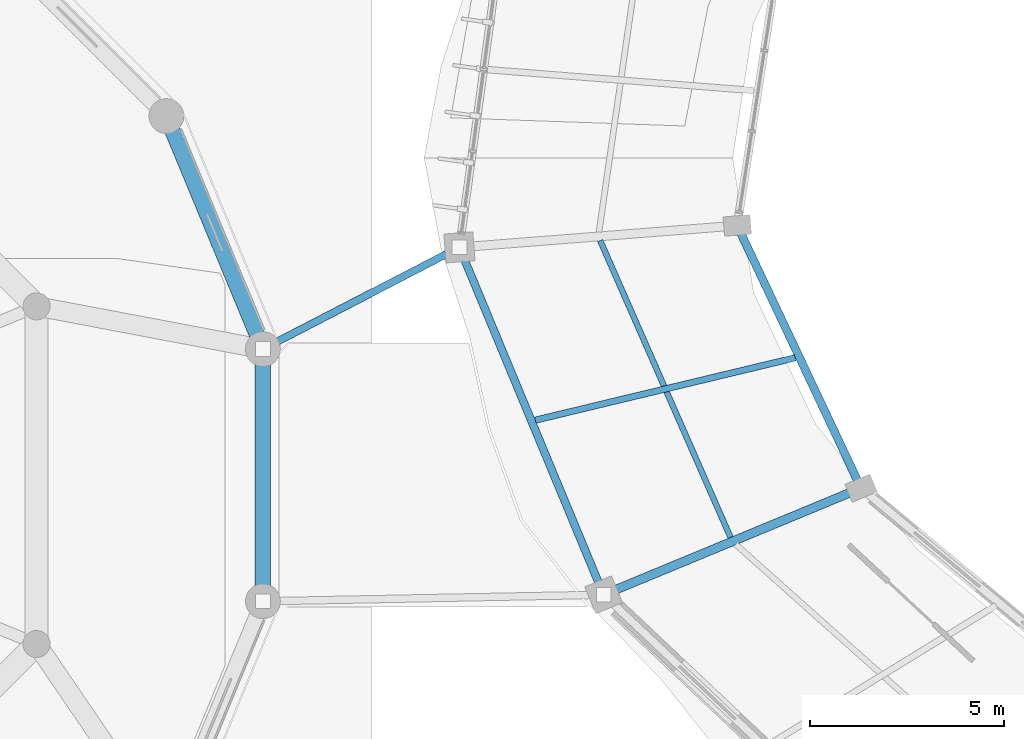
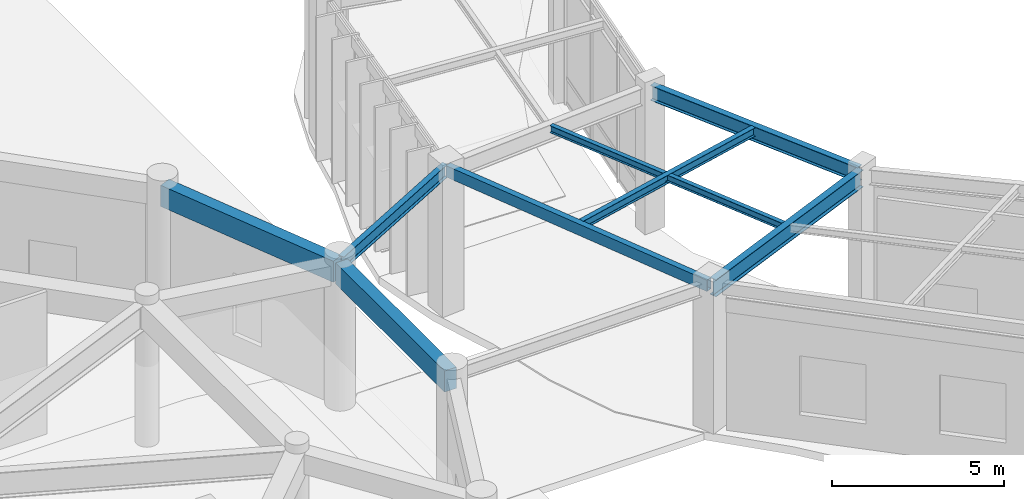
# One storey, part 46 of 157: 8 beams.
"""IFC4 building model written with IfcOpenShell, lengths in metres."""

from ifc_helpers import new_model, si_unit, direction, frame, origin, origin_2d, place, context, subcontext, project, spatial, rectangle, hollow_rectangle, i_section, extrude, material, material_profile, profile_set, type_object, element, save


model = new_model("IFC4")

# Units and contexts
model_context = context("Model", 3, precision=1e-05, world=origin(), true_north=direction((0.0, 1.0)))
body_context = subcontext(model_context, "Body", "Model", "MODEL_VIEW")
ifc_project = project(units=[si_unit("LENGTHUNIT", "METRE"), si_unit("AREAUNIT", "SQUARE_METRE"), si_unit("VOLUMEUNIT", "CUBIC_METRE"), si_unit("PLANEANGLEUNIT", "RADIAN"), si_unit("MASSUNIT", "GRAM", prefix="KILO"), si_unit("THERMODYNAMICTEMPERATUREUNIT", "KELVIN"), si_unit("POWERUNIT", "WATT")], contexts=[model_context])

# Site, building, storey
site_placement = place(None, origin())
site = spatial("IfcSite", under=ifc_project, at=site_placement, CompositionType="ELEMENT")
building_placement = place(site_placement, origin())
building = spatial("IfcBuilding", under=site, at=building_placement, Name="Darbajah Civic Hall", CompositionType="ELEMENT")
storey_placement = place(building_placement, origin())
storey = spatial("IfcBuildingStorey", under=building, at=storey_placement, Name="L00", CompositionType="ELEMENT", Elevation=0.0)

# Beams
ifc_material_1 = material(Name="Concrete C45/55", Category="concrete")
ifc_material_profile_1 = material_profile(ifc_material_1, rectangle(XDim=0.39990234375, YDim=0.75, at=origin_2d()), Name="RC SPANDREL 400x750")
ifc_profile_set_1 = profile_set([ifc_material_profile_1], Name="Concrete C45/55")
beam_type_1 = type_object("IfcBeamType", Name="RC SPANDREL 400x750", PredefinedType="SPANDREL", material=ifc_profile_set_1)
for number, where, z_axis, x_axis, name in (
    (1, (33.1455078125, 84.94140625, 4.705078125), (-0.382683011449, 0.92387970686, 0.0), (-0.92387970686, -0.382683011449, 0.0), "L00 beam SP-4075"),
    (2, (33.179931640625, 78.431884765625, 4.705078125), (0.0, 1.0, 0.0), (-1.0, 0.0, 0.0), "L00 beam SP-4075"),
):
    element("IfcBeam", number, at=place(storey_placement, frame(where, z_axis=z_axis, x_axis=x_axis)), inside=storey, type_object=beam_type_1, Name=name, PredefinedType="SPANDREL", context=body_context, shape_type="SweptSolid", body=[
        extrude(rectangle(XDim=0.39990234375, YDim=0.75, at=origin_2d()), origin(), (0.0, 0.0, 1.0), 6.33642578125),
    ])
ifc_material_2 = material(Name="Steel S355JR", Category="steel")
ifc_material_profile_2 = material_profile(ifc_material_2, hollow_rectangle(XDim=0.199951171875, YDim=0.39990234375, WallThickness=0.013916015625, at=origin_2d()), Name="RHS 400x200x14")
ifc_profile_set_2 = profile_set([ifc_material_profile_2], Name="Steel S355JR")
beam_type_2 = type_object("IfcBeamType", Name="RHS 400x200x14", PredefinedType="SPANDREL", material=ifc_profile_set_2)
beam_1_placement = place(storey_placement, frame((38.287841796875, 87.41162109375, 4.919921875), z_axis=(0.38333984527, -0.923607364104, 0.0), x_axis=(0.923607364104, 0.38333984527, 0.0)))
element("IfcBeam", 3, at=beam_1_placement, inside=storey, type_object=beam_type_2, Name="L00 beam SP-RHS400", PredefinedType="SPANDREL", context=body_context, shape_type="SweptSolid", body=[
    extrude(hollow_rectangle(XDim=0.199951171875, YDim=0.39990234375, WallThickness=0.013916015625, at=origin_2d()), origin(), (0.0, 0.0, 1.0), 9.556884765625),
])
ifc_material_profile_3 = material_profile(ifc_material_2, i_section(OverallWidth=0.146484375, OverallDepth=0.256103515625, WebThickness=0.00634765625, FlangeThickness=0.010986328125, FilletRadius=0.007568359375, at=origin_2d()), Name="UB 254x146x37")
ifc_profile_set_3 = profile_set([ifc_material_profile_3], Name="Steel S355JR")
beam_type_3 = type_object("IfcBeamType", Name="UB 254x146x37", PredefinedType="JOIST", material=ifc_profile_set_3)
beam_2_placement = place(storey_placement, frame((41.892822265625, 87.66162109375, 4.991943359375), z_axis=(0.402255928137, -0.915527262444, 0.0), x_axis=(0.915527262444, 0.402255928137, 0.0)))
element("IfcBeam", 4, at=beam_2_placement, inside=storey, type_object=beam_type_3, Name="L00 beam SJ-254", PredefinedType="JOIST", context=body_context, shape_type="SweptSolid", body=[
    extrude(i_section(OverallWidth=0.146484375, OverallDepth=0.256103515625, WebThickness=0.00634765625, FlangeThickness=0.010986328125, FilletRadius=0.007568359375, at=origin_2d()), origin(), (0.0, 0.0, 1.0), 8.37451171875),
])
ifc_material_profile_4 = material_profile(ifc_material_2, i_section(OverallWidth=0.165771484375, OverallDepth=0.306640625, WebThickness=0.006591796875, FlangeThickness=0.01171875, FilletRadius=0.0087890625, at=origin_2d()), Name="UB 305x165x46")
ifc_profile_set_4 = profile_set([ifc_material_profile_4], Name="Steel S355JR")
beam_type_4 = type_object("IfcBeamType", Name="UB 305x165x46", PredefinedType="JOIST", material=ifc_profile_set_4)
beam_3_placement = place(storey_placement, frame((46.931396484375, 84.633544921875, 4.966796875), z_axis=(-0.972369643286, -0.233446518106, 0.0), x_axis=(0.233446518106, -0.972369643286, 0.0)))
element("IfcBeam", 5, at=beam_3_placement, inside=storey, type_object=beam_type_4, Name="L00 beam SJ-305", PredefinedType="JOIST", context=body_context, shape_type="SweptSolid", body=[
    extrude(i_section(OverallWidth=0.165771484375, OverallDepth=0.306640625, WebThickness=0.006591796875, FlangeThickness=0.01171875, FilletRadius=0.0087890625, at=origin_2d()), origin(), (0.0, 0.0, 1.0), 6.9033203125),
])
ifc_material_profile_5 = material_profile(ifc_material_2, i_section(OverallWidth=0.1904296875, OverallDepth=0.45703125, WebThickness=0.009033203125, FlangeThickness=0.014404296875, FilletRadius=0.01025390625, at=origin_2d()), Name="UB 457x191x74")
ifc_profile_set_5 = profile_set([ifc_material_profile_5], Name="Steel S355JR")
beam_type_5 = type_object("IfcBeamType", Name="UB 457x191x74", PredefinedType="BEAM", material=ifc_profile_set_5)
beam_4_placement = place(storey_placement, frame((33.2333984375, 84.8857421875, 4.931396484375), z_axis=(0.888120023882, 0.459611600354, 0.0), x_axis=(-0.459611600354, 0.888120023882, 0.0)))
element("IfcBeam", 6, at=beam_4_placement, inside=storey, type_object=beam_type_5, Name="L00 beam SB-457", PredefinedType="BEAM", context=body_context, shape_type="SweptSolid", body=[
    extrude(i_section(OverallWidth=0.1904296875, OverallDepth=0.45703125, WebThickness=0.009033203125, FlangeThickness=0.014404296875, FilletRadius=0.01025390625, at=origin_2d()), origin(), (0.0, 0.0, 1.0), 5.5966796875),
])
ifc_material_profile_6 = material_profile(ifc_material_2, i_section(OverallWidth=0.209228515625, OverallDepth=0.533203125, WebThickness=0.010009765625, FlangeThickness=0.015625, FilletRadius=0.0126953125, at=origin_2d()), Name="UB 533x210x92")
ifc_profile_set_6 = profile_set([ifc_material_profile_6], Name="Steel S355JR")
beam_type_6 = type_object("IfcBeamType", Name="UB 533x210x92", PredefinedType="BEAM", material=ifc_profile_set_6)
beam_5_placement = place(storey_placement, frame((45.468994140625, 87.97802734375, 4.853515625), z_axis=(0.426541677675, -0.904467908334, 0.0), x_axis=(0.904467908334, 0.426541677675, 0.0)))
element("IfcBeam", 7, at=beam_5_placement, inside=storey, type_object=beam_type_6, Name="L00 beam SB-533", PredefinedType="BEAM", context=body_context, shape_type="SweptSolid", body=[
    extrude(i_section(OverallWidth=0.209228515625, OverallDepth=0.533203125, WebThickness=0.010009765625, FlangeThickness=0.015625, FilletRadius=0.0126953125, at=origin_2d()), origin(), (0.0, 0.0, 1.0), 7.340576171875),
])
ifc_material_profile_7 = material_profile(ifc_material_2, i_section(OverallWidth=0.228271484375, OverallDepth=0.607666015625, WebThickness=0.010986328125, FlangeThickness=0.017333984375, FilletRadius=0.0126953125, at=origin_2d()), Name="UB 610x229x113")
ifc_profile_set_7 = profile_set([ifc_material_profile_7], Name="Steel S355JR")
beam_type_7 = type_object("IfcBeamType", Name="UB 610x229x113", PredefinedType="BEAM", material=ifc_profile_set_7)
beam_6_placement = place(storey_placement, frame((48.560302734375, 81.235595703125, 4.816162109375), z_axis=(-0.923885389571, -0.382669291867, 0.0), x_axis=(0.382669291867, -0.923885389571, 0.0)))
element("IfcBeam", 8, at=beam_6_placement, inside=storey, type_object=beam_type_7, Name="L00 beam SB-610", PredefinedType="BEAM", context=body_context, shape_type="SweptSolid", body=[
    extrude(i_section(OverallWidth=0.228271484375, OverallDepth=0.607666015625, WebThickness=0.010986328125, FlangeThickness=0.017333984375, FilletRadius=0.0126953125, at=origin_2d()), origin(), (0.0, 0.0, 1.0), 7.040283203125),
])

save(model, "model.ifc")
